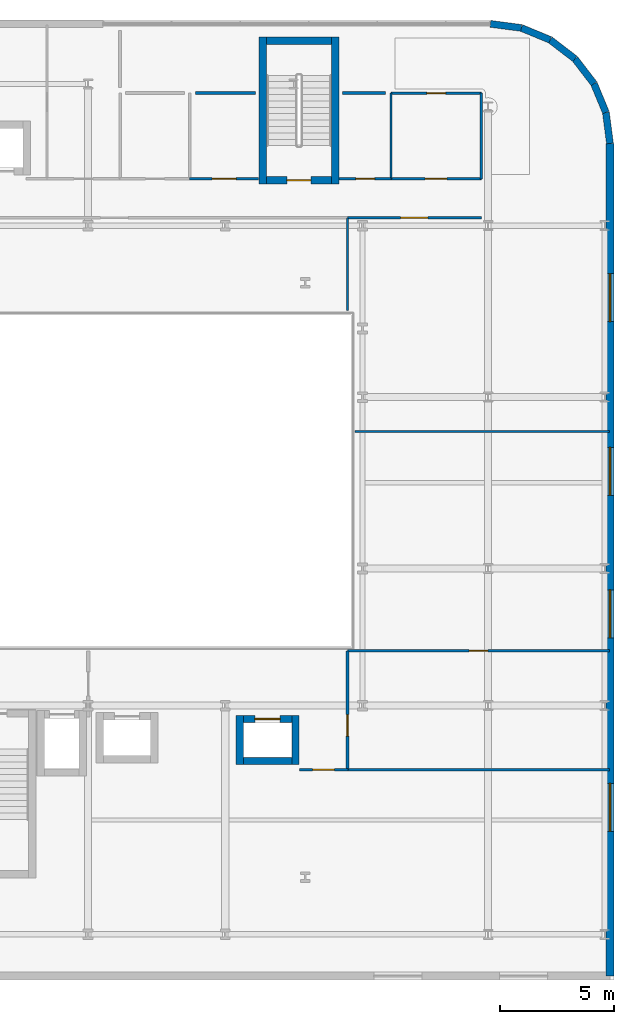
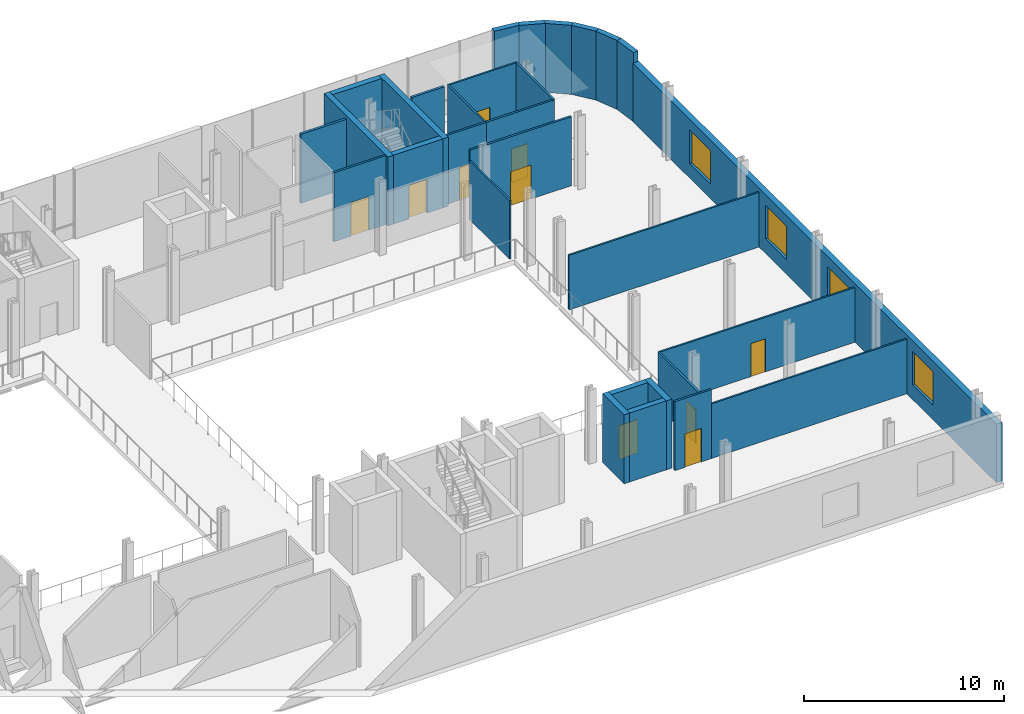
# One storey, part 19 of 25: 30 walls, 10 doors, 4 windows, 14 openings.
"""IFC4 building model written with IfcOpenShell, lengths in metres."""

from ifc_helpers import new_model, si_unit, direction, frame, frame_2d, origin, place, context, subcontext, project, spatial, rectangle, extrude, material, layer, layer_set, type_object, element, fill, save


model = new_model("IFC4")

# Units and contexts
model_context = context("Model", 3, precision=1e-05, world=origin(), true_north=direction((0.0, 1.0)))
body_context = subcontext(model_context, "Body", "Model", "MODEL_VIEW")
ifc_project = project(units=[si_unit("LENGTHUNIT", "METRE"), si_unit("AREAUNIT", "SQUARE_METRE"), si_unit("VOLUMEUNIT", "CUBIC_METRE"), si_unit("PLANEANGLEUNIT", "RADIAN"), si_unit("MASSUNIT", "GRAM", prefix="KILO")], contexts=[model_context])

# Site, building, storey
site_placement = place(None, origin())
site = spatial("IfcSite", under=ifc_project, at=site_placement, CompositionType="ELEMENT")
building_placement = place(site_placement, origin())
building = spatial("IfcBuilding", under=site, at=building_placement, Name="Brevholm Reach", CompositionType="ELEMENT")
storey_placement = place(building_placement, frame((0.0, 0.0, 9.0)))
storey = spatial("IfcBuildingStorey", under=building, at=storey_placement, Name="L02", CompositionType="ELEMENT", Elevation=9.0)

# Walls
ifc_material_1 = material(Name="Concrete C60/75", Category="concrete")
ifc_layer_1 = layer(ifc_material_1, 0.320068359375)
ifc_layer_set_1 = layer_set([ifc_layer_1], Name="Concrete C60/75")
wall_type_1 = type_object("IfcWallType", Name="WAL-COR-320", PredefinedType="SHEAR", material=ifc_layer_set_1)
for number, where, z_axis, x_axis, name in (
    (1, (55.639892578125, 32.830078125, 0.0), (0.0, 0.0, 1.0), (0.0, 1.0, 0.0), "L02 Escape Stair ST-S4 Core Wall W"),
    (2, (58.81005859375, 32.830078125, 0.0), (0.0, 0.0, 1.0), (0.0, 1.0, 0.0), "L02 Escape Stair ST-S4 Core Wall E"),
):
    element("IfcWall", number, at=place(storey_placement, frame(where, z_axis=z_axis, x_axis=x_axis)), inside=storey, type_object=wall_type_1, Name=name, PredefinedType="SHEAR", context=body_context, shape_type="SweptSolid", body=[
        extrude(rectangle(XDim=6.419921875, YDim=0.320068359375, at=frame_2d((3.2099609375, 0.0))), origin(), (0.0, 0.0, 1.0), 4.219970703125),
    ])

# Wall, opening, door
wall_1_placement = place(storey_placement, frame((55.800048828125, 32.989990234375, 0.0), z_axis=(0.0, 0.0, 1.0), x_axis=(1.0, 0.0, 0.0)))
wall_1 = element("IfcWall", 3, at=wall_1_placement, inside=storey, type_object=wall_type_1, Name="L02 Escape Stair ST-S4 Core Wall S", PredefinedType="SHEAR", context=body_context, shape_type="SweptSolid", body=[
    extrude(rectangle(XDim=2.849853515625, YDim=0.320068359375, at=frame_2d((1.4248046875, 0.0))), origin(), (0.0, 0.0, 1.0), 4.219970703125),
])
opening_1_placement = place(wall_1_placement, frame((0.89990234375, 0.0, 0.0)))
opening_1 = element("IfcOpeningElement", 4, at=opening_1_placement, cuts=wall_1, Name="Opening SD-ST-S4", PredefinedType="OPENING", context=body_context, shape_type="SweptSolid", body=[
    extrude(rectangle(XDim=1.050048828125, YDim=2.06005859375, at=frame_2d((0.52490234375, 1.030029296875))), frame((0.0, 0.169921875, 0.0), z_axis=(0.0, -1.0, 0.0), x_axis=(1.0, 0.0, 0.0)), (0.0, 0.0, 1.0), 0.340087890625),
])
ifc_material_2 = material(Name="Hardwood-Lipped Steel-Core Fire and Smoke Door", Category="steel")
door_type_1 = type_object("IfcDoorType", Name="DOR-INT-FD60S", OperationType="NOTDEFINED", PredefinedType="DOOR", material=ifc_material_2)
door_1_placement = place(opening_1_placement, origin())
door_1 = element("IfcDoor", 5, at=door_1_placement, inside=storey, type_object=door_type_1, Name="L02 Protected Stair ST-S4 Lobby Door", OperationType="SINGLE_SWING_LEFT", OverallHeight=2.06005859375, OverallWidth=1.050048828125, PredefinedType="DOOR", context=body_context, shape_type="SweptSolid", body=[
    extrude(rectangle(XDim=1.050048828125, YDim=2.06005859375, at=frame_2d((0.52490234375, 1.030029296875))), frame((0.0, 0.02490234375, 0.0), z_axis=(0.0, -1.0, 0.0), x_axis=(1.0, 0.0, 0.0)), (0.0, 0.0, 1.0), 0.050048828125),
])
fill(opening_1, door_1)

# Walls
wall_2_placement = place(storey_placement, frame((58.64990234375, 39.090087890625, 0.0), z_axis=(0.0, 0.0, 1.0), x_axis=(-1.0, 0.0, 0.0)))
element("IfcWall", 6, at=wall_2_placement, inside=storey, type_object=wall_type_1, Name="L02 Escape Stair ST-S4 Core Wall N", PredefinedType="SHEAR", context=body_context, shape_type="SweptSolid", body=[
    extrude(rectangle(XDim=2.849853515625, YDim=0.320068359375, at=frame_2d((1.4248046875, 0.0))), origin(), (0.0, 0.0, 1.0), 4.219970703125),
])
for number, where, z_axis, x_axis, name in (
    (7, (54.6298828125, 7.419921875, 0.0), (0.0, 0.0, 1.0), (0.0, 1.0, 0.0), "L02 Lift PL-L2 Shaft Wall W"),
    (8, (57.070068359375, 7.419921875, 0.0), (0.0, 0.0, 1.0), (0.0, 1.0, 0.0), "L02 Lift PL-L2 Shaft Wall E"),
):
    element("IfcWall", number, at=place(storey_placement, frame(where, z_axis=z_axis, x_axis=x_axis)), inside=storey, type_object=wall_type_1, Name=name, PredefinedType="SHEAR", context=body_context, shape_type="SweptSolid", body=[
        extrude(rectangle(XDim=2.16015625, YDim=0.320068359375, at=frame_2d((1.080078125, 0.0))), origin(), (0.0, 0.0, 1.0), 4.219970703125),
    ])
wall_3_placement = place(storey_placement, frame((54.7900390625, 7.580078125, 0.0), z_axis=(0.0, 0.0, 1.0), x_axis=(1.0, 0.0, 0.0)))
element("IfcWall", 9, at=wall_3_placement, inside=storey, type_object=wall_type_1, Name="L02 Lift PL-L2 Shaft Wall S", PredefinedType="SHEAR", context=body_context, shape_type="SweptSolid", body=[
    extrude(rectangle(XDim=2.119873046875, YDim=0.320068359375, at=frame_2d((1.06005859375, 0.0))), origin(), (0.0, 0.0, 1.0), 4.219970703125),
])

# Wall, opening, door
wall_4_placement = place(storey_placement, frame((54.7900390625, 9.419921875, 0.0), z_axis=(0.0, 0.0, 1.0), x_axis=(1.0, 0.0, 0.0)))
wall_4 = element("IfcWall", 10, at=wall_4_placement, inside=storey, type_object=wall_type_1, Name="L02 Lift PL-L2 Shaft Wall N", PredefinedType="SHEAR", context=body_context, shape_type="SweptSolid", body=[
    extrude(rectangle(XDim=2.119873046875, YDim=0.320068359375, at=frame_2d((1.06005859375, 0.0))), origin(), (0.0, 0.0, 1.0), 4.219970703125),
])
opening_2_placement = place(wall_4_placement, frame((0.510009765625, 0.0, 0.0)))
opening_2 = element("IfcOpeningElement", 11, at=opening_2_placement, cuts=wall_4, Name="Opening LD-PL-L2", PredefinedType="OPENING", context=body_context, shape_type="SweptSolid", body=[
    extrude(rectangle(XDim=1.10009765625, YDim=2.06005859375, at=frame_2d((0.550048828125, 1.030029296875))), frame((0.0, 0.169921875, 0.0), z_axis=(0.0, -1.0, 0.0), x_axis=(1.0, 0.0, 0.0)), (0.0, 0.0, 1.0), 0.340087890625),
])
ifc_material_3 = material(Name="Brushed Stainless Steel Fire-Rated Sliding Lift Door", Category="steel")
door_type_2 = type_object("IfcDoorType", Name="DOR-LFT-1100", OperationType="NOTDEFINED", PredefinedType="DOOR", material=ifc_material_3)
door_2_placement = place(opening_2_placement, origin())
door_2 = element("IfcDoor", 12, at=door_2_placement, inside=storey, type_object=door_type_2, Name="L02 Lift PL-L2 Sliding Landing Door", OperationType="SLIDING_TO_LEFT", OverallHeight=2.06005859375, OverallWidth=1.10009765625, PredefinedType="DOOR", context=body_context, shape_type="SweptSolid", body=[
    extrude(rectangle(XDim=1.10009765625, YDim=2.06005859375, at=frame_2d((0.550048828125, 1.030029296875))), frame((0.0, 0.02490234375, 0.0), z_axis=(0.0, -1.0, 0.0), x_axis=(1.0, 0.0, 0.0)), (0.0, 0.0, 1.0), 0.050048828125),
])
fill(opening_2, door_2)

# Walls
ifc_material_4 = material(Name="Concrete C40/50", Category="concrete")
ifc_layer_2 = layer(ifc_material_4, 0.300048828125)
ifc_layer_set_2 = layer_set([ifc_layer_2], Name="Concrete C40/50")
wall_type_2 = type_object("IfcWallType", Name="WAL-EXT-300", PredefinedType="STANDARD", material=ifc_layer_set_2)
wall_5_placement = place(storey_placement, frame((65.60009765625, 39.830078125, 0.0), z_axis=(0.0, 0.0, 1.0), x_axis=(0.991442117533, -0.13054703207, 0.0)))
element("IfcWall", 13, at=wall_5_placement, inside=storey, type_object=wall_type_2, Name="L02 Facade Wall WAL-L02-NEP-1", PredefinedType="STANDARD", context=body_context, shape_type="SweptSolid", body=[
    extrude(rectangle(XDim=1.365234375, YDim=0.300048828125, at=frame_2d((0.6826171875, 0.0))), origin(), (0.0, 0.0, 1.0), 4.219970703125),
])
wall_6_placement = place(storey_placement, frame((66.95361328125, 39.65185546875, 0.0), z_axis=(0.0, 0.0, 1.0), x_axis=(0.923894797396, -0.382646577594, 0.0)))
element("IfcWall", 14, at=wall_6_placement, inside=storey, type_object=wall_type_2, Name="L02 Facade Wall WAL-L02-NEP-2", PredefinedType="STANDARD", context=body_context, shape_type="SweptSolid", body=[
    extrude(rectangle(XDim=1.365478515625, YDim=0.300048828125, at=frame_2d((0.6826171875, 0.0))), origin(), (0.0, 0.0, 1.0), 4.219970703125),
])
for number, where, z_axis, x_axis, name in (
    (15, (68.215087890625, 39.12939453125, 0.0), (0.0, 0.0, 1.0), (0.793255091989, -0.6088894473, 0.0), "L02 Facade Wall WAL-L02-NEP-3"),
    (16, (69.298095703125, 38.298095703125, 0.0), (0.0, 0.0, 1.0), (0.6088894473, -0.793255091989, 0.0), "L02 Facade Wall WAL-L02-NEP-4"),
):
    element("IfcWall", number, at=place(storey_placement, frame(where, z_axis=z_axis, x_axis=x_axis)), inside=storey, type_object=wall_type_2, Name=name, PredefinedType="STANDARD", context=body_context, shape_type="SweptSolid", body=[
        extrude(rectangle(XDim=1.365234375, YDim=0.300048828125, at=frame_2d((0.6826171875, 0.0))), origin(), (0.0, 0.0, 1.0), 4.219970703125),
    ])
wall_7_placement = place(storey_placement, frame((70.12939453125, 37.215087890625, 0.0), z_axis=(0.0, 0.0, 1.0), x_axis=(0.382646577594, -0.923894797396, 0.0)))
element("IfcWall", 17, at=wall_7_placement, inside=storey, type_object=wall_type_2, Name="L02 Facade Wall WAL-L02-NEP-5", PredefinedType="STANDARD", context=body_context, shape_type="SweptSolid", body=[
    extrude(rectangle(XDim=1.365478515625, YDim=0.300048828125, at=frame_2d((0.6826171875, 0.0))), origin(), (0.0, 0.0, 1.0), 4.219970703125),
])
wall_8_placement = place(storey_placement, frame((70.65185546875, 35.95361328125, 0.0), z_axis=(0.0, 0.0, 1.0), x_axis=(0.13054703207, -0.991442117533, 0.0)))
element("IfcWall", 18, at=wall_8_placement, inside=storey, type_object=wall_type_2, Name="L02 Facade Wall WAL-L02-NEP-6", PredefinedType="STANDARD", context=body_context, shape_type="SweptSolid", body=[
    extrude(rectangle(XDim=1.365234375, YDim=0.300048828125, at=frame_2d((0.6826171875, 0.0))), origin(), (0.0, 0.0, 1.0), 4.219970703125),
])

# Wall, openings, windows
ifc_material_5 = material(Name="Concrete C40/50", Category="concrete")
ifc_layer_3 = layer(ifc_material_5, 0.340087890625)
ifc_layer_set_3 = layer_set([ifc_layer_3], Name="Concrete C40/50")
wall_type_3 = type_object("IfcWallType", Name="WAL-EXT-340", PredefinedType="STANDARD", material=ifc_layer_set_3)
wall_9_placement = place(storey_placement, frame((70.830078125, -1.830078125, 0.0), z_axis=(0.0, 0.0, 1.0), x_axis=(0.0, 1.0, 0.0)))
wall_9 = element("IfcWall", 19, at=wall_9_placement, inside=storey, type_object=wall_type_3, Name="L02 Facade Wall WAL-L02-E", PredefinedType="STANDARD", context=body_context, shape_type="SweptSolid", body=[
    extrude(rectangle(XDim=36.43017578125, YDim=0.340087890625, at=frame_2d((18.215087890625, 0.0))), origin(), (0.0, 0.0, 1.0), 3.582763671875),
])
opening_3_placement = place(wall_9_placement, frame((6.330078125, 0.0, 0.89990234375)))
opening_3 = element("IfcOpeningElement", 20, at=opening_3_placement, cuts=wall_9, Name="Opening WN-02", PredefinedType="OPENING", context=body_context, shape_type="SweptSolid", body=[
    extrude(rectangle(XDim=2.10009765625, YDim=2.050048828125, at=frame_2d((1.050048828125, 1.02490234375))), frame((0.0, 0.179931640625, 0.0), z_axis=(0.0, -1.0, 0.0), x_axis=(1.0, 0.0, 0.0)), (0.0, 0.0, 1.0), 0.360107421875),
])
opening_4_placement = place(wall_9_placement, frame((14.800048828125, 0.0, 0.89990234375)))
opening_4 = element("IfcOpeningElement", 21, at=opening_4_placement, cuts=wall_9, Name="Opening WN-02", PredefinedType="OPENING", context=body_context, shape_type="SweptSolid", body=[
    extrude(rectangle(XDim=2.10009765625, YDim=2.050048828125, at=frame_2d((1.050048828125, 1.02490234375))), frame((0.0, 0.179931640625, 0.0), z_axis=(0.0, -1.0, 0.0), x_axis=(1.0, 0.0, 0.0)), (0.0, 0.0, 1.0), 0.360107421875),
])
opening_5_placement = place(wall_9_placement, frame((21.030029296875, 0.0, 0.89990234375)))
opening_5 = element("IfcOpeningElement", 22, at=opening_5_placement, cuts=wall_9, Name="Opening WN-02", PredefinedType="OPENING", context=body_context, shape_type="SweptSolid", body=[
    extrude(rectangle(XDim=2.10009765625, YDim=2.050048828125, at=frame_2d((1.050048828125, 1.02490234375))), frame((0.0, 0.179931640625, 0.0), z_axis=(0.0, -1.0, 0.0), x_axis=(1.0, 0.0, 0.0)), (0.0, 0.0, 1.0), 0.360107421875),
])
opening_6_placement = place(wall_9_placement, frame((28.6298828125, 0.0, 0.89990234375)))
opening_6 = element("IfcOpeningElement", 23, at=opening_6_placement, cuts=wall_9, Name="Opening WN-02", PredefinedType="OPENING", context=body_context, shape_type="SweptSolid", body=[
    extrude(rectangle(XDim=2.10009765625, YDim=2.050048828125, at=frame_2d((1.050048828125, 1.02490234375))), frame((0.0, 0.179931640625, 0.0), z_axis=(0.0, -1.0, 0.0), x_axis=(1.0, 0.0, 0.0)), (0.0, 0.0, 1.0), 0.360107421875),
])
ifc_material_6 = material(Name="Dark Anodised Aluminium and Solar-Control IGU Glass", Category="aluminium")
window_type = type_object("IfcWindowType", Name="WIN-SCH-2100", PartitioningType="SINGLE_PANEL", PredefinedType="WINDOW", material=ifc_material_6)
window_1_placement = place(opening_3_placement, origin())
window_1 = element("IfcWindow", 24, at=window_1_placement, inside=storey, type_object=window_type, Name="L02 Window WIN-L02-E-1", OverallHeight=2.050048828125, OverallWidth=2.10009765625, PartitioningType="SINGLE_PANEL", PredefinedType="WINDOW", context=body_context, shape_type="SweptSolid", body=[
    extrude(rectangle(XDim=2.10009765625, YDim=2.050048828125, at=frame_2d((1.050048828125, 1.02490234375))), frame((0.0, 0.030029296875, 0.0), z_axis=(0.0, -1.0, 0.0), x_axis=(1.0, 0.0, 0.0)), (0.0, 0.0, 1.0), 0.06005859375),
])
fill(opening_3, window_1)
window_2_placement = place(opening_4_placement, origin())
window_2 = element("IfcWindow", 25, at=window_2_placement, inside=storey, type_object=window_type, Name="L02 Window WIN-L02-E-2", OverallHeight=2.050048828125, OverallWidth=2.10009765625, PartitioningType="SINGLE_PANEL", PredefinedType="WINDOW", context=body_context, shape_type="SweptSolid", body=[
    extrude(rectangle(XDim=2.10009765625, YDim=2.050048828125, at=frame_2d((1.050048828125, 1.02490234375))), frame((0.0, 0.030029296875, 0.0), z_axis=(0.0, -1.0, 0.0), x_axis=(1.0, 0.0, 0.0)), (0.0, 0.0, 1.0), 0.06005859375),
])
fill(opening_4, window_2)
window_3_placement = place(opening_5_placement, origin())
window_3 = element("IfcWindow", 26, at=window_3_placement, inside=storey, type_object=window_type, Name="L02 Window WIN-L02-E-3", OverallHeight=2.050048828125, OverallWidth=2.10009765625, PartitioningType="SINGLE_PANEL", PredefinedType="WINDOW", context=body_context, shape_type="SweptSolid", body=[
    extrude(rectangle(XDim=2.10009765625, YDim=2.050048828125, at=frame_2d((1.050048828125, 1.02490234375))), frame((0.0, 0.030029296875, 0.0), z_axis=(0.0, -1.0, 0.0), x_axis=(1.0, 0.0, 0.0)), (0.0, 0.0, 1.0), 0.06005859375),
])
fill(opening_5, window_3)
window_4_placement = place(opening_6_placement, origin())
window_4 = element("IfcWindow", 27, at=window_4_placement, inside=storey, type_object=window_type, Name="L02 Window WIN-L02-E-4", OverallHeight=2.050048828125, OverallWidth=2.10009765625, PartitioningType="SINGLE_PANEL", PredefinedType="WINDOW", context=body_context, shape_type="SweptSolid", body=[
    extrude(rectangle(XDim=2.10009765625, YDim=2.050048828125, at=frame_2d((1.050048828125, 1.02490234375))), frame((0.0, 0.030029296875, 0.0), z_axis=(0.0, -1.0, 0.0), x_axis=(1.0, 0.0, 0.0)), (0.0, 0.0, 1.0), 0.06005859375),
])
fill(opening_6, window_4)

# Walls
ifc_material_7 = material(Name="Moisture-Resistant Acoustic Gypsum Stud Partition 100 mm", Category="gypsum")
ifc_layer_4 = layer(ifc_material_7, 0.10009765625)
ifc_layer_set_4 = layer_set([ifc_layer_4], Name="Moisture-Resistant Acoustic Gypsum Stud Partition 100 mm")
wall_type_4 = type_object("IfcWallType", Name="WAL-PRT-100", PredefinedType="PARTITIONING", material=ifc_layer_set_4)
for number, where, z_axis, x_axis, name in (
    (28, (61.25, 33.053955078125, 0.0), (0.0, 0.0, 1.0), (0.0, 1.0, 0.0), "L02 Internal Partition 031"),
    (29, (65.199951171875, 33.053955078125, 0.0), (0.0, 0.0, 1.0), (0.0, 1.0, 0.0), "L02 Internal Partition 032"),
):
    element("IfcWall", number, at=place(storey_placement, frame(where, z_axis=z_axis, x_axis=x_axis)), inside=storey, type_object=wall_type_4, Name=name, PredefinedType="PARTITIONING", context=body_context, shape_type="SweptSolid", body=[
        extrude(rectangle(XDim=3.74609375, YDim=0.10009765625, at=frame_2d((1.873046875, 0.0))), origin(), (0.0, 0.0, 1.0), 4.219970703125),
    ])

# Wall, opening, door
wall_10_placement = place(storey_placement, frame((61.25390625, 36.800048828125, 0.0), z_axis=(0.0, 0.0, 1.0), x_axis=(1.0, 0.0, 0.0)))
wall_10 = element("IfcWall", 30, at=wall_10_placement, inside=storey, type_object=wall_type_4, Name="L02 Internal Partition 033", PredefinedType="PARTITIONING", context=body_context, shape_type="SweptSolid", body=[
    extrude(rectangle(XDim=3.946044921875, YDim=0.10009765625, at=frame_2d((1.97314453125, 0.0))), origin(), (0.0, 0.0, 1.0), 4.219970703125),
])
opening_7_placement = place(wall_10_placement, frame((1.56298828125, 0.0, 0.0)))
opening_7 = element("IfcOpeningElement", 31, at=opening_7_placement, cuts=wall_10, Name="Opening ID-03", PredefinedType="OPENING", context=body_context, shape_type="SweptSolid", body=[
    extrude(rectangle(XDim=0.820068359375, YDim=2.02001953125, at=frame_2d((0.41015625, 1.010009765625))), frame((0.0, 0.06005859375, 0.0), z_axis=(0.0, -1.0, 0.0), x_axis=(1.0, 0.0, 0.0)), (0.0, 0.0, 1.0), 0.1201171875),
])
ifc_material_8 = material(Name="Moisture-Resistant Painted Timber Internal Bathroom Door", Category="wood")
door_type_3 = type_object("IfcDoorType", Name="DOR-BATH-820", OperationType="NOTDEFINED", PredefinedType="DOOR", material=ifc_material_8)
door_3_placement = place(opening_7_placement, origin())
door_3 = element("IfcDoor", 32, at=door_3_placement, inside=storey, type_object=door_type_3, Name="L02 Access Door 026", OperationType="SINGLE_SWING_RIGHT", OverallHeight=2.02001953125, OverallWidth=0.820068359375, PredefinedType="DOOR", context=body_context, shape_type="SweptSolid", body=[
    extrude(rectangle(XDim=0.820068359375, YDim=2.02001953125, at=frame_2d((0.41015625, 1.010009765625))), frame((0.0, 0.02490234375, 0.0), z_axis=(0.0, -1.0, 0.0), x_axis=(1.0, 0.0, 0.0)), (0.0, 0.0, 1.0), 0.050048828125),
])
fill(opening_7, door_3)

# Wall
wall_11_placement = place(storey_placement, frame((59.679931640625, 22.0, 0.0), z_axis=(0.0, 0.0, 1.0), x_axis=(1.0, 0.0, 0.0)))
element("IfcWall", 33, at=wall_11_placement, inside=storey, type_object=wall_type_4, Name="L02 Internal Partition 035", PredefinedType="PARTITIONING", context=body_context, shape_type="SweptSolid", body=[
    extrude(rectangle(XDim=11.1201171875, YDim=0.10009765625, at=frame_2d((5.56005859375, 0.0))), origin(), (0.0, 0.0, 1.0), 3.343994140625),
])

# Wall, opening, door
wall_12_placement = place(storey_placement, frame((59.35009765625, 12.39990234375, 0.0), z_axis=(0.0, 0.0, 1.0), x_axis=(1.0, 0.0, 0.0)))
wall_12 = element("IfcWall", 34, at=wall_12_placement, inside=storey, type_object=wall_type_4, Name="L02 Internal Partition 036", PredefinedType="PARTITIONING", context=body_context, shape_type="SweptSolid", body=[
    extrude(rectangle(XDim=11.449951171875, YDim=0.10009765625, at=frame_2d((5.72509765625, 0.0))), origin(), (0.0, 0.0, 1.0), 3.343994140625),
])
opening_8_placement = place(wall_12_placement, frame((5.31494140625, 0.0, 0.0)))
opening_8 = element("IfcOpeningElement", 35, at=opening_8_placement, cuts=wall_12, Name="Opening ID-03", PredefinedType="OPENING", context=body_context, shape_type="SweptSolid", body=[
    extrude(rectangle(XDim=0.820068359375, YDim=2.02001953125, at=frame_2d((0.41015625, 1.010009765625))), frame((0.0, 0.06005859375, 0.0), z_axis=(0.0, -1.0, 0.0), x_axis=(1.0, 0.0, 0.0)), (0.0, 0.0, 1.0), 0.1201171875),
])
door_4_placement = place(opening_8_placement, origin())
door_4 = element("IfcDoor", 36, at=door_4_placement, inside=storey, type_object=door_type_3, Name="L02 Access Door 025", OperationType="SINGLE_SWING_LEFT", OverallHeight=2.02001953125, OverallWidth=0.820068359375, PredefinedType="DOOR", context=body_context, shape_type="SweptSolid", body=[
    extrude(rectangle(XDim=0.820068359375, YDim=2.02001953125, at=frame_2d((0.41015625, 1.010009765625))), frame((0.0, 0.02490234375, 0.0), z_axis=(0.0, -1.0, 0.0), x_axis=(1.0, 0.0, 0.0)), (0.0, 0.0, 1.0), 0.050048828125),
])
fill(opening_8, door_4)

# Walls
wall_13_placement = place(storey_placement, frame((59.35009765625, 27.280029296875, 0.0), z_axis=(0.0, 0.0, 1.0), x_axis=(0.0, 1.0, 0.0)))
element("IfcWall", 37, at=wall_13_placement, inside=storey, type_object=wall_type_4, Name="L02 Internal Partition 037", PredefinedType="PARTITIONING", context=body_context, shape_type="SweptSolid", body=[
    extrude(rectangle(XDim=4.06591796875, YDim=0.10009765625, at=frame_2d((2.032958984375, 0.0))), origin(), (0.0, 0.0, 1.0), 3.582763671875),
])
wall_14_placement = place(storey_placement, frame((59.3427734375, 7.199951171875, 0.0), z_axis=(0.0, 0.0, 1.0), x_axis=(1.0, 0.0, 0.0)))
element("IfcWall", 38, at=wall_14_placement, inside=storey, type_object=wall_type_4, Name="L02 Internal Partition 039", PredefinedType="PARTITIONING", context=body_context, shape_type="SweptSolid", body=[
    extrude(rectangle(XDim=11.457275390625, YDim=0.10009765625, at=frame_2d((5.728515625, 0.0))), origin(), (0.0, 0.0, 1.0), 3.343994140625),
])

# Wall, opening, door
ifc_material_9 = material(Name="Acoustic Fire-Rated Classroom Gypsum Partition 120 mm", Category="gypsum")
ifc_layer_5 = layer(ifc_material_9, 0.1201171875)
ifc_layer_set_5 = layer_set([ifc_layer_5], Name="Acoustic Fire-Rated Classroom Gypsum Partition 120 mm")
wall_type_5 = type_object("IfcWallType", Name="WAL-PRT-120", PredefinedType="PARTITIONING", material=ifc_layer_set_5)
wall_15_placement = place(storey_placement, frame((52.442626953125, 33.050048828125, 0.0), z_axis=(0.0, 0.0, 1.0), x_axis=(1.0, 0.0, 0.0)))
wall_15 = element("IfcWall", 39, at=wall_15_placement, inside=storey, type_object=wall_type_5, Name="L02 Internal Partition 018", PredefinedType="PARTITIONING", context=body_context, shape_type="SweptSolid", body=[
    extrude(rectangle(XDim=3.0185546875, YDim=0.1201171875, at=frame_2d((1.50927734375, 0.0))), origin(), (0.0, 0.0, 1.0), 4.219970703125),
])
opening_9_placement = place(wall_15_placement, frame((0.984375, 0.0, 0.0)))
opening_9 = element("IfcOpeningElement", 40, at=opening_9_placement, cuts=wall_15, Name="Opening FD-01", PredefinedType="OPENING", context=body_context, shape_type="SweptSolid", body=[
    extrude(rectangle(XDim=1.050048828125, YDim=2.06005859375, at=frame_2d((0.52490234375, 1.030029296875))), frame((0.0, 0.070068359375, 0.0), z_axis=(0.0, -1.0, 0.0), x_axis=(1.0, 0.0, 0.0)), (0.0, 0.0, 1.0), 0.14013671875),
])
door_5_placement = place(opening_9_placement, origin())
door_5 = element("IfcDoor", 41, at=door_5_placement, inside=storey, type_object=door_type_1, Name="L02 Internal Door 013", OperationType="SINGLE_SWING_LEFT", OverallHeight=2.06005859375, OverallWidth=1.050048828125, PredefinedType="DOOR", context=body_context, shape_type="SweptSolid", body=[
    extrude(rectangle(XDim=1.050048828125, YDim=2.06005859375, at=frame_2d((0.52490234375, 1.030029296875))), frame((0.0, 0.02490234375, 0.0), z_axis=(0.0, -1.0, 0.0), x_axis=(1.0, 0.0, 0.0)), (0.0, 0.0, 1.0), 0.050048828125),
])
fill(opening_9, door_5)

wall_16_placement = place(storey_placement, frame((58.97998046875, 33.050048828125, 0.0), z_axis=(0.0, 0.0, 1.0), x_axis=(1.0, 0.0, 0.0)))
wall_16 = element("IfcWall", 42, at=wall_16_placement, inside=storey, type_object=wall_type_5, Name="L02 Internal Partition 019", PredefinedType="PARTITIONING", context=body_context, shape_type="SweptSolid", body=[
    extrude(rectangle(XDim=2.28125, YDim=0.1201171875, at=frame_2d((1.140625, 0.0))), origin(), (0.0, 0.0, 1.0), 4.219970703125),
])
opening_10_placement = place(wall_16_placement, frame((0.730712890625, 0.0, 0.0)))
opening_10 = element("IfcOpeningElement", 43, at=opening_10_placement, cuts=wall_16, Name="Opening ID-02", PredefinedType="OPENING", context=body_context, shape_type="SweptSolid", body=[
    extrude(rectangle(XDim=0.820068359375, YDim=2.02001953125, at=frame_2d((0.41015625, 1.010009765625))), frame((0.0, 0.070068359375, 0.0), z_axis=(0.0, -1.0, 0.0), x_axis=(1.0, 0.0, 0.0)), (0.0, 0.0, 1.0), 0.14013671875),
])
ifc_material_10 = material(Name="Moisture-Resistant Painted Timber Fire-Rated Riser and Service Door", Category="wood")
door_type_4 = type_object("IfcDoorType", Name="DOR-SRV-820", OperationType="NOTDEFINED", PredefinedType="DOOR", material=ifc_material_10)
door_6_placement = place(opening_10_placement, origin())
door_6 = element("IfcDoor", 44, at=door_6_placement, inside=storey, type_object=door_type_4, Name="L02 Internal Door 014", OperationType="SINGLE_SWING_RIGHT", OverallHeight=2.02001953125, OverallWidth=0.820068359375, PredefinedType="DOOR", context=body_context, shape_type="SweptSolid", body=[
    extrude(rectangle(XDim=0.820068359375, YDim=2.02001953125, at=frame_2d((0.41015625, 1.010009765625))), frame((0.0, 0.02490234375, 0.0), z_axis=(0.0, -1.0, 0.0), x_axis=(1.0, 0.0, 0.0)), (0.0, 0.0, 1.0), 0.050048828125),
])
fill(opening_10, door_6)

wall_17_placement = place(storey_placement, frame((61.24267578125, 33.050048828125, 0.0), z_axis=(0.0, 0.0, 1.0), x_axis=(1.0, 0.0, 0.0)))
wall_17 = element("IfcWall", 45, at=wall_17_placement, inside=storey, type_object=wall_type_5, Name="L02 Internal Partition 020", PredefinedType="PARTITIONING", context=body_context, shape_type="SweptSolid", body=[
    extrude(rectangle(XDim=3.957275390625, YDim=0.1201171875, at=frame_2d((1.978515625, 0.0))), origin(), (0.0, 0.0, 1.0), 4.219970703125),
])
opening_11_placement = place(wall_17_placement, frame((1.503662109375, 0.0, 0.0)))
opening_11 = element("IfcOpeningElement", 46, at=opening_11_placement, cuts=wall_17, Name="Opening ID-30", PredefinedType="OPENING", context=body_context, shape_type="SweptSolid", body=[
    extrude(rectangle(XDim=0.949951171875, YDim=2.050048828125, at=frame_2d((0.47509765625, 1.02490234375))), frame((0.0, 0.070068359375, 0.0), z_axis=(0.0, -1.0, 0.0), x_axis=(1.0, 0.0, 0.0)), (0.0, 0.0, 1.0), 0.14013671875),
])
ifc_material_11 = material(Name="European Oak Veneered Solid-Core Fire Entrance Door", Category="timber")
door_type_5 = type_object("IfcDoorType", Name="DOR-FLT-FD30S", OperationType="NOTDEFINED", PredefinedType="DOOR", material=ifc_material_11)
door_7_placement = place(opening_11_placement, origin())
door_7 = element("IfcDoor", 47, at=door_7_placement, inside=storey, type_object=door_type_5, Name="L02 Internal Door 015", OperationType="SINGLE_SWING_LEFT", OverallHeight=2.050048828125, OverallWidth=0.949951171875, PredefinedType="DOOR", context=body_context, shape_type="SweptSolid", body=[
    extrude(rectangle(XDim=0.949951171875, YDim=2.050048828125, at=frame_2d((0.47509765625, 1.02490234375))), frame((0.0, 0.02490234375, 0.0), z_axis=(0.0, -1.0, 0.0), x_axis=(1.0, 0.0, 0.0)), (0.0, 0.0, 1.0), 0.050048828125),
])
fill(opening_11, door_7)

wall_18_placement = place(storey_placement, frame((59.338623046875, 31.35009765625, 0.0), z_axis=(0.0, 0.0, 1.0), x_axis=(1.0, 0.0, 0.0)))
wall_18 = element("IfcWall", 48, at=wall_18_placement, inside=storey, type_object=wall_type_5, Name="L02 Internal Partition 022", PredefinedType="PARTITIONING", context=body_context, shape_type="SweptSolid", body=[
    extrude(rectangle(XDim=5.861328125, YDim=0.1201171875, at=frame_2d((2.9306640625, 0.0))), origin(), (0.0, 0.0, 1.0), 4.219970703125),
])
opening_12_placement = place(wall_18_placement, frame((2.33056640625, 0.0, 0.0)))
opening_12 = element("IfcOpeningElement", 49, at=opening_12_placement, cuts=wall_18, Name="Opening ID-SC", PredefinedType="OPENING", context=body_context, shape_type="SweptSolid", body=[
    extrude(rectangle(XDim=1.199951171875, YDim=2.080078125, at=frame_2d((0.60009765625, 1.0400390625))), frame((0.0, 0.070068359375, 0.0), z_axis=(0.0, -1.0, 0.0), x_axis=(1.0, 0.0, 0.0)), (0.0, 0.0, 1.0), 0.14013671875),
])
ifc_material_12 = material(Name="Acoustic European Oak Classroom Vision-Panel Fire Door", Category="timber")
door_type_6 = type_object("IfcDoorType", Name="DOR-SCH-1200", OperationType="NOTDEFINED", PredefinedType="DOOR", material=ifc_material_12)
door_8_placement = place(opening_12_placement, origin())
door_8 = element("IfcDoor", 50, at=door_8_placement, inside=storey, type_object=door_type_6, Name="L02 Internal Door 017", OperationType="SINGLE_SWING_LEFT", OverallHeight=2.080078125, OverallWidth=1.199951171875, PredefinedType="DOOR", context=body_context, shape_type="SweptSolid", body=[
    extrude(rectangle(XDim=1.199951171875, YDim=2.080078125, at=frame_2d((0.60009765625, 1.0400390625))), frame((0.0, 0.02490234375, 0.0), z_axis=(0.0, -1.0, 0.0), x_axis=(1.0, 0.0, 0.0)), (0.0, 0.0, 1.0), 0.050048828125),
])
fill(opening_12, door_8)

wall_19_placement = place(storey_placement, frame((57.23876953125, 7.199951171875, 0.0), z_axis=(0.0, 0.0, 1.0), x_axis=(1.0, 0.0, 0.0)))
wall_19 = element("IfcWall", 51, at=wall_19_placement, inside=storey, type_object=wall_type_5, Name="L02 Internal Partition 038", PredefinedType="PARTITIONING", context=body_context, shape_type="SweptSolid", body=[
    extrude(rectangle(XDim=2.12255859375, YDim=0.1201171875, at=frame_2d((1.061279296875, 0.0))), origin(), (0.0, 0.0, 1.0), 4.219970703125),
])
opening_13_placement = place(wall_19_placement, frame((0.586181640625, 0.0, 0.0)))
opening_13 = element("IfcOpeningElement", 52, at=opening_13_placement, cuts=wall_19, Name="Opening ID-30", PredefinedType="OPENING", context=body_context, shape_type="SweptSolid", body=[
    extrude(rectangle(XDim=0.949951171875, YDim=2.050048828125, at=frame_2d((0.47509765625, 1.02490234375))), frame((0.0, 0.070068359375, 0.0), z_axis=(0.0, -1.0, 0.0), x_axis=(1.0, 0.0, 0.0)), (0.0, 0.0, 1.0), 0.14013671875),
])
door_9_placement = place(opening_13_placement, origin())
door_9 = element("IfcDoor", 53, at=door_9_placement, inside=storey, type_object=door_type_5, Name="L02 Internal Door 021", OperationType="SINGLE_SWING_LEFT", OverallHeight=2.050048828125, OverallWidth=0.949951171875, PredefinedType="DOOR", context=body_context, shape_type="SweptSolid", body=[
    extrude(rectangle(XDim=0.949951171875, YDim=2.050048828125, at=frame_2d((0.47509765625, 1.02490234375))), frame((0.0, 0.02490234375, 0.0), z_axis=(0.0, -1.0, 0.0), x_axis=(1.0, 0.0, 0.0)), (0.0, 0.0, 1.0), 0.050048828125),
])
fill(opening_13, door_9)

wall_20_placement = place(storey_placement, frame((59.35009765625, 7.2041015625, 0.0), z_axis=(0.0, 0.0, 1.0), x_axis=(0.0, 1.0, 0.0)))
wall_20 = element("IfcWall", 54, at=wall_20_placement, inside=storey, type_object=wall_type_5, Name="L02 Internal Partition 040", PredefinedType="PARTITIONING", context=body_context, shape_type="SweptSolid", body=[
    extrude(rectangle(XDim=5.19189453125, YDim=0.1201171875, at=frame_2d((2.595947265625, 0.0))), origin(), (0.0, 0.0, 1.0), 3.343994140625),
])
opening_14_placement = place(wall_20_placement, frame((1.4609375, 0.0, 0.0)))
opening_14 = element("IfcOpeningElement", 55, at=opening_14_placement, cuts=wall_20, Name="Opening ID-30", PredefinedType="OPENING", context=body_context, shape_type="SweptSolid", body=[
    extrude(rectangle(XDim=0.949951171875, YDim=2.050048828125, at=frame_2d((0.47509765625, 1.02490234375))), frame((0.0, 0.070068359375, 0.0), z_axis=(0.0, -1.0, 0.0), x_axis=(1.0, 0.0, 0.0)), (0.0, 0.0, 1.0), 0.14013671875),
])
door_10_placement = place(opening_14_placement, origin())
door_10 = element("IfcDoor", 56, at=door_10_placement, inside=storey, type_object=door_type_5, Name="L02 Internal Door 022", OperationType="SINGLE_SWING_RIGHT", OverallHeight=2.050048828125, OverallWidth=0.949951171875, PredefinedType="DOOR", context=body_context, shape_type="SweptSolid", body=[
    extrude(rectangle(XDim=0.949951171875, YDim=2.050048828125, at=frame_2d((0.47509765625, 1.02490234375))), frame((0.0, 0.02490234375, 0.0), z_axis=(0.0, -1.0, 0.0), x_axis=(1.0, 0.0, 0.0)), (0.0, 0.0, 1.0), 0.050048828125),
])
fill(opening_14, door_10)

# Walls
ifc_material_13 = material(Name="Twin-Stud Acoustic Fire-Rated Gypsum Partition 140 mm", Category="gypsum")
ifc_layer_6 = layer(ifc_material_13, 0.139892578125)
ifc_layer_set_6 = layer_set([ifc_layer_6], Name="Twin-Stud Acoustic Fire-Rated Gypsum Partition 140 mm")
wall_type_6 = type_object("IfcWallType", Name="WAL-PRT-140", PredefinedType="PARTITIONING", material=ifc_layer_set_6)
wall_21_placement = place(storey_placement, frame((52.68994140625, 36.800048828125, 0.0), z_axis=(0.0, 0.0, 1.0), x_axis=(1.0, 0.0, 0.0)))
element("IfcWall", 57, at=wall_21_placement, inside=storey, type_object=wall_type_6, Name="L02 Internal Partition 048", PredefinedType="PARTITIONING", context=body_context, shape_type="SweptSolid", body=[
    extrude(rectangle(XDim=2.64013671875, YDim=0.139892578125, at=frame_2d((1.320068359375, 0.0))), origin(), (0.0, 0.0, 1.0), 4.219970703125),
])
wall_22_placement = place(storey_placement, frame((59.1201171875, 36.800048828125, 0.0), z_axis=(0.0, 0.0, 1.0), x_axis=(1.0, 0.0, 0.0)))
element("IfcWall", 58, at=wall_22_placement, inside=storey, type_object=wall_type_6, Name="L02 Internal Partition 049", PredefinedType="PARTITIONING", context=body_context, shape_type="SweptSolid", body=[
    extrude(rectangle(XDim=1.889892578125, YDim=0.139892578125, at=frame_2d((0.94482421875, 0.0))), origin(), (0.0, 0.0, 1.0), 4.219970703125),
])

save(model, "model.ifc")
